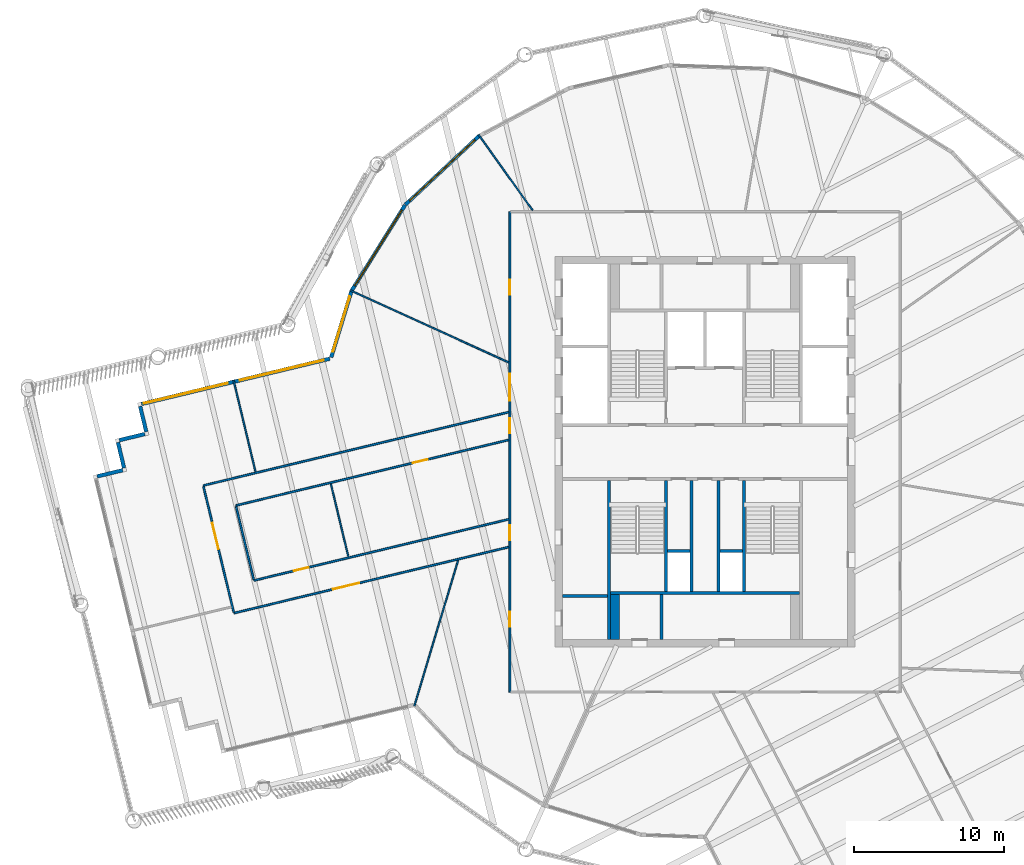
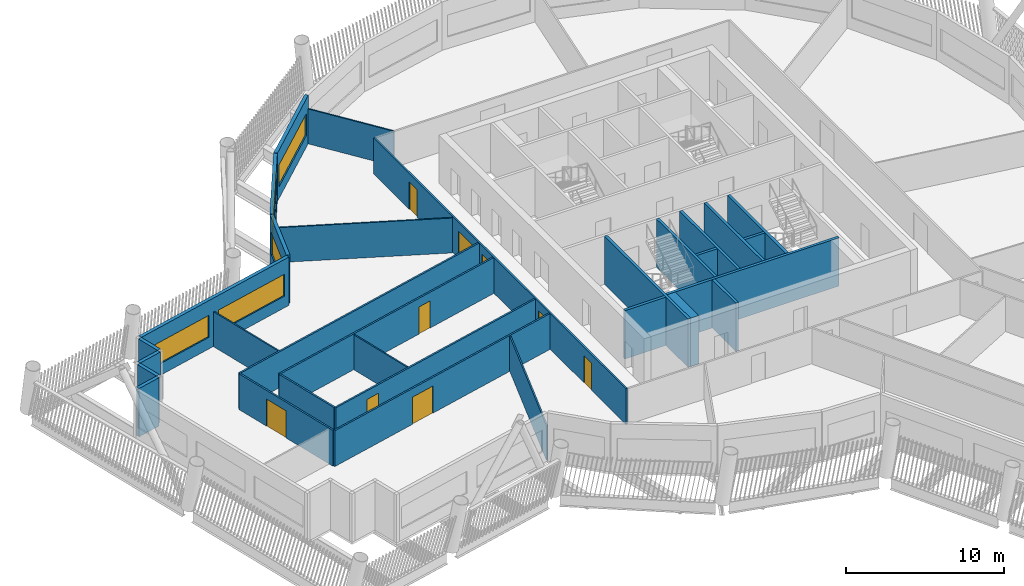
# One storey, part 4 of 22: 31 walls, 9 doors, 5 windows, 14 openings.
"""IFC4 building model written with IfcOpenShell, lengths in metres."""

from ifc_helpers import new_model, si_unit, direction, frame, frame_2d, origin, place, context, subcontext, project, spatial, rectangle, extrude, material, layer, layer_set, type_object, element, fill, save


model = new_model("IFC4")

# Units and contexts
model_context = context("Model", 3, precision=1e-05, world=origin(), true_north=direction((0.0, 1.0)))
body_context = subcontext(model_context, "Body", "Model", "MODEL_VIEW")
ifc_project = project(units=[si_unit("LENGTHUNIT", "METRE"), si_unit("AREAUNIT", "SQUARE_METRE"), si_unit("VOLUMEUNIT", "CUBIC_METRE"), si_unit("PLANEANGLEUNIT", "RADIAN"), si_unit("MASSUNIT", "GRAM", prefix="KILO")], contexts=[model_context])

# Site, building, storey
site_placement = place(None, origin())
site = spatial("IfcSite", under=ifc_project, at=site_placement, CompositionType="ELEMENT")
building_placement = place(site_placement, origin())
building = spatial("IfcBuilding", under=site, at=building_placement, Name="Tarsis Ring Headquarters", CompositionType="ELEMENT")
storey_placement = place(building_placement, frame((0.0, 0.0, 339.199951171875)))
storey = spatial("IfcBuildingStorey", under=building, at=storey_placement, Name="L80", CompositionType="ELEMENT", Elevation=339.199951171875)

# Walls
ifc_material_1 = material(Name="Blockwork", Category="masonry")
ifc_layer_1 = layer(ifc_material_1, 0.199951171875)
ifc_layer_set_1 = layer_set([ifc_layer_1], Name="Core blockwork wall 200")
wall_type_1 = type_object("IfcWallType", Name="Core blockwork wall 200", PredefinedType="PARTITIONING", material=ifc_layer_set_1)
for number, where, z_axis, x_axis, name in (
    (1, (-9.5, -9.60009765625, 0.0), (0.0, 0.0, 1.0), (1.0, 0.0, 0.0), "Core partition WD1"),
    (2, (-2.89990234375, -12.5, 0.0), (0.0, 0.0, 1.0), (0.0, 1.0, 0.0), "Core partition SD1"),
):
    element("IfcWall", number, at=place(storey_placement, frame(where, z_axis=z_axis, x_axis=x_axis)), inside=storey, type_object=wall_type_1, Name=name, PredefinedType="PARTITIONING", context=body_context, shape_type="SweptSolid", body=[
        extrude(rectangle(XDim=3.0, YDim=0.199951171875, at=frame_2d((1.5, 0.0))), origin(), (0.0, 0.0, 1.0), 3.739990234375),
    ])
for number, where, z_axis, x_axis, name in (
    (3, (-2.5, -6.60009765625, 0.0), (0.0, 0.0, 1.0), (1.0, 0.0, 0.0), "Core partition SP1"),
    (4, (1.0, -6.60009765625, 0.0), (0.0, 0.0, 1.0), (1.0, 0.0, 0.0), "Core partition SP3"),
):
    element("IfcWall", number, at=place(storey_placement, frame(where, z_axis=z_axis, x_axis=x_axis)), inside=storey, type_object=wall_type_1, Name=name, PredefinedType="PARTITIONING", context=body_context, shape_type="SweptSolid", body=[
        extrude(rectangle(XDim=1.5, YDim=0.199951171875, at=frame_2d((0.75, 0.0))), origin(), (0.0, 0.0, 1.0), 3.739990234375),
    ])
for number, where, z_axis, x_axis, name in (
    (5, (-0.89990234375, -9.300048828125, 0.0), (0.0, 0.0, 1.0), (0.0, 1.0, 0.0), "Core partition SV1"),
    (6, (0.89990234375, -9.300048828125, 0.0), (0.0, 0.0, 1.0), (0.0, 1.0, 0.0), "Core partition SV2"),
):
    element("IfcWall", number, at=place(storey_placement, frame(where, z_axis=z_axis, x_axis=x_axis)), inside=storey, type_object=wall_type_1, Name=name, PredefinedType="PARTITIONING", context=body_context, shape_type="SweptSolid", body=[
        extrude(rectangle(XDim=7.400146484375, YDim=0.199951171875, at=frame_2d((3.7001953125, 0.0))), origin(), (0.0, 0.0, 1.0), 3.739990234375),
    ])
ifc_material_2 = material(Name="Gypsum board on steel studs", Category="steel")
ifc_layer_2 = layer(ifc_material_2, 0.10009765625)
ifc_layer_set_2 = layer_set([ifc_layer_2], Name="FL partition 100 unrated")
wall_type_2 = type_object("IfcWallType", Name="FL partition 100 unrated", PredefinedType="PARTITIONING", material=ifc_layer_set_2)
wall_1_placement = place(storey_placement, frame((-23.615234375, 10.752197265625, 0.0), z_axis=(0.0, 0.0, 1.0), x_axis=(0.910105733563, -0.414376101792, 0.0)))
element("IfcWall", 7, at=wall_1_placement, inside=storey, type_object=wall_type_2, Name="Partition PW3", PredefinedType="PARTITIONING", context=body_context, shape_type="SweptSolid", body=[
    extrude(rectangle(XDim=11.583740234375, YDim=0.10009765625, at=frame_2d((5.7919921875, 0.0))), origin(), (0.0, 0.0, 1.0), 2.699951171875),
])
wall_2_placement = place(storey_placement, frame((-19.360107421875, -16.919921875, 0.0), z_axis=(0.0, 0.0, 1.0), x_axis=(0.287868377947, 0.957669983333, 0.0)))
element("IfcWall", 8, at=wall_2_placement, inside=storey, type_object=wall_type_2, Name="Partition PW3", PredefinedType="PARTITIONING", context=body_context, shape_type="SweptSolid", body=[
    extrude(rectangle(XDim=10.11181640625, YDim=0.10009765625, at=frame_2d((5.055908203125, 0.0))), origin(), (0.0, 0.0, 1.0), 2.699951171875),
])
wall_3_placement = place(storey_placement, frame((-31.3984375, 4.740966796875, 0.0), z_axis=(0.0, 0.0, 1.0), x_axis=(0.233785119621, -0.972288289472, 0.0)))
element("IfcWall", 9, at=wall_3_placement, inside=storey, type_object=wall_type_2, Name="Partition PW3", PredefinedType="PARTITIONING", context=body_context, shape_type="SweptSolid", body=[
    extrude(rectangle(XDim=6.25, YDim=0.10009765625, at=frame_2d((3.125, 0.0))), origin(), (0.0, 0.0, 1.0), 2.699951171875),
])
wall_4_placement = place(storey_placement, frame((-15.075439453125, 21.119384765625, 0.0), z_axis=(0.0, 0.0, 1.0), x_axis=(0.58097699543, -0.813919978119, 0.0)))
element("IfcWall", 10, at=wall_4_placement, inside=storey, type_object=wall_type_2, Name="Partition PW3", PredefinedType="PARTITIONING", context=body_context, shape_type="SweptSolid", body=[
    extrude(rectangle(XDim=6.18994140625, YDim=0.10009765625, at=frame_2d((3.094970703125, 0.0))), origin(), (0.0, 0.0, 1.0), 2.699951171875),
])
wall_5_placement = place(storey_placement, frame((-24.923583984375, -2.125732421875, 0.0), z_axis=(0.0, 0.0, 1.0), x_axis=(0.233747837998, -0.972297253021, 0.0)))
element("IfcWall", 11, at=wall_5_placement, inside=storey, type_object=wall_type_2, Name="Partition PW3", PredefinedType="PARTITIONING", context=body_context, shape_type="SweptSolid", body=[
    extrude(rectangle(XDim=4.999755859375, YDim=0.10009765625, at=frame_2d((2.5, 0.0))), origin(), (0.0, 0.0, 1.0), 2.699951171875),
])

# Wall, openings, doors
ifc_layer_3 = layer(ifc_material_2, 0.125)
ifc_layer_set_3 = layer_set([ifc_layer_3], Name="FL partition 125 EI 60 H2770")
wall_type_3 = type_object("IfcWallType", Name="FL partition 125 EI 60 H2770", PredefinedType="PARTITIONING", material=ifc_layer_set_3)
wall_6_placement = place(storey_placement, frame((-13.0, -16.0, 0.0), z_axis=(0.0, 0.0, 1.0), x_axis=(0.0, 1.0, 0.0)))
wall_6 = element("IfcWall", 12, at=wall_6_placement, inside=storey, type_object=wall_type_3, Name="Partition PW1", PredefinedType="PARTITIONING", context=body_context, shape_type="SweptSolid", body=[
    extrude(rectangle(XDim=32.0, YDim=0.125, at=frame_2d((16.0, 0.0))), origin(), (0.0, 0.0, 1.0), 2.77001953125),
])
opening_1_placement = place(wall_6_placement, frame((19.391845703125, 0.0, 0.0)))
opening_1 = element("IfcOpeningElement", 13, at=opening_1_placement, cuts=wall_6, Name="Opening D80.03", PredefinedType="OPENING", context=body_context, shape_type="SweptSolid", body=[
    extrude(rectangle(XDim=1.800048828125, YDim=2.10009765625, at=frame_2d((0.89990234375, 1.050048828125))), frame((0.0, 0.072509765625, 0.0), z_axis=(0.0, -1.0, 0.0), x_axis=(1.0, 0.0, 0.0)), (0.0, 0.0, 1.0), 0.14501953125),
])
opening_2_placement = place(wall_6_placement, frame((26.45947265625, 0.0, 0.0)))
opening_2 = element("IfcOpeningElement", 14, at=opening_2_placement, cuts=wall_6, Name="Opening D80.04", PredefinedType="OPENING", context=body_context, shape_type="SweptSolid", body=[
    extrude(rectangle(XDim=1.0, YDim=2.10009765625, at=frame_2d((0.5, 1.050048828125))), frame((0.0, 0.072509765625, 0.0), z_axis=(0.0, -1.0, 0.0), x_axis=(1.0, 0.0, 0.0)), (0.0, 0.0, 1.0), 0.14501953125),
])
opening_3_placement = place(wall_6_placement, frame((4.337890625, 0.0, 0.0)))
opening_3 = element("IfcOpeningElement", 15, at=opening_3_placement, cuts=wall_6, Name="Opening D80.12", PredefinedType="OPENING", context=body_context, shape_type="SweptSolid", body=[
    extrude(rectangle(XDim=1.0, YDim=2.10009765625, at=frame_2d((0.5, 1.050048828125))), frame((0.0, 0.072509765625, 0.0), z_axis=(0.0, -1.0, 0.0), x_axis=(1.0, 0.0, 0.0)), (0.0, 0.0, 1.0), 0.14501953125),
])
opening_4_placement = place(wall_6_placement, frame((10.101318359375, 0.0, 0.0)))
opening_4 = element("IfcOpeningElement", 16, at=opening_4_placement, cuts=wall_6, Name="Opening D80.19", PredefinedType="OPENING", context=body_context, shape_type="SweptSolid", body=[
    extrude(rectangle(XDim=1.0, YDim=2.10009765625, at=frame_2d((0.5, 1.050048828125))), frame((0.0, 0.072509765625, 0.0), z_axis=(0.0, -1.0, 0.0), x_axis=(1.0, 0.0, 0.0)), (0.0, 0.0, 1.0), 0.14501953125),
])
opening_5_placement = place(wall_6_placement, frame((17.239013671875, 0.0, 0.0)))
opening_5 = element("IfcOpeningElement", 17, at=opening_5_placement, cuts=wall_6, Name="Opening D80.20", PredefinedType="OPENING", context=body_context, shape_type="SweptSolid", body=[
    extrude(rectangle(XDim=1.0, YDim=2.10009765625, at=frame_2d((0.5, 1.050048828125))), frame((0.0, 0.072509765625, 0.0), z_axis=(0.0, -1.0, 0.0), x_axis=(1.0, 0.0, 0.0)), (0.0, 0.0, 1.0), 0.14501953125),
])
ifc_material_3 = material(Name="Fire-rated timber door leaf in steel frame", Category="steel")
door_type_1 = type_object("IfcDoorType", Name="FL door FD60-1000", OperationType="NOTDEFINED", PredefinedType="DOOR", material=ifc_material_3)
door_1_placement = place(opening_2_placement, origin())
door_1 = element("IfcDoor", 18, at=door_1_placement, inside=storey, type_object=door_type_1, Name="Door D80.04", OperationType="SINGLE_SWING_RIGHT", OverallHeight=2.10009765625, OverallWidth=1.0, PredefinedType="DOOR", context=body_context, shape_type="SweptSolid", body=[
    extrude(rectangle(XDim=1.0, YDim=2.10009765625, at=frame_2d((0.5, 1.050048828125))), frame((0.0, 0.02490234375, 0.0), z_axis=(0.0, -1.0, 0.0), x_axis=(1.0, 0.0, 0.0)), (0.0, 0.0, 1.0), 0.050048828125),
])
fill(opening_2, door_1)
door_2_placement = place(opening_3_placement, origin())
door_2 = element("IfcDoor", 19, at=door_2_placement, inside=storey, type_object=door_type_1, Name="Door D80.12", OperationType="SINGLE_SWING_RIGHT", OverallHeight=2.10009765625, OverallWidth=1.0, PredefinedType="DOOR", context=body_context, shape_type="SweptSolid", body=[
    extrude(rectangle(XDim=1.0, YDim=2.10009765625, at=frame_2d((0.5, 1.050048828125))), frame((0.0, 0.02490234375, 0.0), z_axis=(0.0, -1.0, 0.0), x_axis=(1.0, 0.0, 0.0)), (0.0, 0.0, 1.0), 0.050048828125),
])
fill(opening_3, door_2)
door_3_placement = place(opening_4_placement, origin())
door_3 = element("IfcDoor", 20, at=door_3_placement, inside=storey, type_object=door_type_1, Name="Door D80.19", OperationType="SINGLE_SWING_LEFT", OverallHeight=2.10009765625, OverallWidth=1.0, PredefinedType="DOOR", context=body_context, shape_type="SweptSolid", body=[
    extrude(rectangle(XDim=1.0, YDim=2.10009765625, at=frame_2d((0.5, 1.050048828125))), frame((0.0, 0.02490234375, 0.0), z_axis=(0.0, -1.0, 0.0), x_axis=(1.0, 0.0, 0.0)), (0.0, 0.0, 1.0), 0.050048828125),
])
fill(opening_4, door_3)
door_4_placement = place(opening_5_placement, origin())
door_4 = element("IfcDoor", 21, at=door_4_placement, inside=storey, type_object=door_type_1, Name="Door D80.20", OperationType="SINGLE_SWING_RIGHT", OverallHeight=2.10009765625, OverallWidth=1.0, PredefinedType="DOOR", context=body_context, shape_type="SweptSolid", body=[
    extrude(rectangle(XDim=1.0, YDim=2.10009765625, at=frame_2d((0.5, 1.050048828125))), frame((0.0, 0.02490234375, 0.0), z_axis=(0.0, -1.0, 0.0), x_axis=(1.0, 0.0, 0.0)), (0.0, 0.0, 1.0), 0.050048828125),
])
fill(opening_5, door_4)
door_type_2 = type_object("IfcDoorType", Name="FL door FD60-1800", OperationType="DOUBLE_DOOR_SINGLE_SWING", PredefinedType="DOOR", material=ifc_material_3)
door_5_placement = place(opening_1_placement, origin())
door_5 = element("IfcDoor", 22, at=door_5_placement, inside=storey, type_object=door_type_2, Name="Door D80.03", OperationType="DOUBLE_DOOR_SINGLE_SWING", OverallHeight=2.10009765625, OverallWidth=1.800048828125, PredefinedType="DOOR", context=body_context, shape_type="SweptSolid", body=[
    extrude(rectangle(XDim=1.800048828125, YDim=2.10009765625, at=frame_2d((0.89990234375, 1.050048828125))), frame((0.0, 0.02490234375, 0.0), z_axis=(0.0, -1.0, 0.0), x_axis=(1.0, 0.0, 0.0)), (0.0, 0.0, 1.0), 0.050048828125),
])
fill(opening_1, door_5)

# Wall
wall_7_placement = place(storey_placement, frame((-33.421142578125, -2.24560546875, 0.0), z_axis=(0.0, 0.0, 1.0), x_axis=(0.972288866201, 0.233782721049, 0.0)))
element("IfcWall", 23, at=wall_7_placement, inside=storey, type_object=wall_type_3, Name="Partition PW1", PredefinedType="PARTITIONING", context=body_context, shape_type="SweptSolid", body=[
    extrude(rectangle(XDim=20.93310546875, YDim=0.125, at=frame_2d((10.466552734375, 0.0))), origin(), (0.0, 0.0, 1.0), 2.77001953125),
])

# Wall, opening, door
wall_8_placement = place(storey_placement, frame((-31.3779296875, -10.743408203125, 0.0), z_axis=(0.0, 0.0, 1.0), x_axis=(0.972288010304, 0.233786280649, 0.0)))
wall_8 = element("IfcWall", 24, at=wall_8_placement, inside=storey, type_object=wall_type_3, Name="Partition PW1", PredefinedType="PARTITIONING", context=body_context, shape_type="SweptSolid", body=[
    extrude(rectangle(XDim=18.831787109375, YDim=0.125, at=frame_2d((9.416015625, 0.0))), origin(), (0.0, 0.0, 1.0), 2.77001953125),
])
opening_6_placement = place(wall_8_placement, frame((6.7880859375, 0.0, 0.0)))
opening_6 = element("IfcOpeningElement", 25, at=opening_6_placement, cuts=wall_8, Name="Opening D80.01", PredefinedType="OPENING", context=body_context, shape_type="SweptSolid", body=[
    extrude(rectangle(XDim=1.800048828125, YDim=2.10009765625, at=frame_2d((0.89990234375, 1.050048828125))), frame((0.0, 0.072509765625, 0.0), z_axis=(0.0, -1.0, 0.0), x_axis=(1.0, 0.0, 0.0)), (0.0, 0.0, 1.0), 0.14501953125),
])
door_6_placement = place(opening_6_placement, origin())
door_6 = element("IfcDoor", 26, at=door_6_placement, inside=storey, type_object=door_type_2, Name="Door D80.01", OperationType="DOUBLE_DOOR_SINGLE_SWING", OverallHeight=2.10009765625, OverallWidth=1.800048828125, PredefinedType="DOOR", context=body_context, shape_type="SweptSolid", body=[
    extrude(rectangle(XDim=1.800048828125, YDim=2.10009765625, at=frame_2d((0.89990234375, 1.050048828125))), frame((0.0, 0.02490234375, 0.0), z_axis=(0.0, -1.0, 0.0), x_axis=(1.0, 0.0, 0.0)), (0.0, 0.0, 1.0), 0.050048828125),
])
fill(opening_6, door_6)

wall_9_placement = place(storey_placement, frame((-31.250244140625, -3.574951171875, 0.0), z_axis=(0.0, 0.0, 1.0), x_axis=(0.972285769287, 0.233795600564, 0.0)))
wall_9 = element("IfcWall", 27, at=wall_9_placement, inside=storey, type_object=wall_type_3, Name="Partition PW1", PredefinedType="PARTITIONING", context=body_context, shape_type="SweptSolid", body=[
    extrude(rectangle(XDim=18.700439453125, YDim=0.125, at=frame_2d((9.35009765625, 0.0))), origin(), (0.0, 0.0, 1.0), 2.77001953125),
])
opening_7_placement = place(wall_9_placement, frame((12.129150390625, 0.0, 0.0)))
opening_7 = element("IfcOpeningElement", 28, at=opening_7_placement, cuts=wall_9, Name="Opening D80.13", PredefinedType="OPENING", context=body_context, shape_type="SweptSolid", body=[
    extrude(rectangle(XDim=1.0, YDim=2.10009765625, at=frame_2d((0.5, 1.050048828125))), frame((0.0, 0.072509765625, 0.0), z_axis=(0.0, -1.0, 0.0), x_axis=(1.0, 0.0, 0.0)), (0.0, 0.0, 1.0), 0.14501953125),
])
door_7_placement = place(opening_7_placement, origin())
door_7 = element("IfcDoor", 29, at=door_7_placement, inside=storey, type_object=door_type_1, Name="Door D80.13", OperationType="SINGLE_SWING_LEFT", OverallHeight=2.10009765625, OverallWidth=1.0, PredefinedType="DOOR", context=body_context, shape_type="SweptSolid", body=[
    extrude(rectangle(XDim=1.0, YDim=2.10009765625, at=frame_2d((0.5, 1.050048828125))), frame((0.0, 0.02490234375, 0.0), z_axis=(0.0, -1.0, 0.0), x_axis=(1.0, 0.0, 0.0)), (0.0, 0.0, 1.0), 0.050048828125),
])
fill(opening_7, door_7)

wall_10_placement = place(storey_placement, frame((-30.048583984375, -8.572509765625, 0.0), z_axis=(0.0, 0.0, 1.0), x_axis=(0.972287221714, 0.233789560271, 0.0)))
wall_10 = element("IfcWall", 30, at=wall_10_placement, inside=storey, type_object=wall_type_3, Name="Partition PW1", PredefinedType="PARTITIONING", context=body_context, shape_type="SweptSolid", body=[
    extrude(rectangle(XDim=17.46435546875, YDim=0.125, at=frame_2d((8.732177734375, 0.0))), origin(), (0.0, 0.0, 1.0), 2.77001953125),
])
opening_8_placement = place(wall_10_placement, frame((2.743896484375, 0.0, 0.0)))
opening_8 = element("IfcOpeningElement", 31, at=opening_8_placement, cuts=wall_10, Name="Opening D80.14", PredefinedType="OPENING", context=body_context, shape_type="SweptSolid", body=[
    extrude(rectangle(XDim=1.0, YDim=2.10009765625, at=frame_2d((0.5, 1.050048828125))), frame((0.0, 0.072509765625, 0.0), z_axis=(0.0, -1.0, 0.0), x_axis=(1.0, 0.0, 0.0)), (0.0, 0.0, 1.0), 0.14501953125),
])
door_8_placement = place(opening_8_placement, origin())
door_8 = element("IfcDoor", 32, at=door_8_placement, inside=storey, type_object=door_type_1, Name="Door D80.14", OperationType="SINGLE_SWING_RIGHT", OverallHeight=2.10009765625, OverallWidth=1.0, PredefinedType="DOOR", context=body_context, shape_type="SweptSolid", body=[
    extrude(rectangle(XDim=1.0, YDim=2.10009765625, at=frame_2d((0.5, 1.050048828125))), frame((0.0, 0.02490234375, 0.0), z_axis=(0.0, -1.0, 0.0), x_axis=(1.0, 0.0, 0.0)), (0.0, 0.0, 1.0), 0.050048828125),
])
fill(opening_8, door_8)

wall_11_placement = place(storey_placement, frame((-33.406982421875, -2.303955078125, 0.0), z_axis=(0.0, 0.0, 1.0), x_axis=(0.233775706343, -0.972290552831, 0.0)))
wall_11 = element("IfcWall", 33, at=wall_11_placement, inside=storey, type_object=wall_type_3, Name="Partition PW1", PredefinedType="PARTITIONING", context=body_context, shape_type="SweptSolid", body=[
    extrude(rectangle(XDim=8.619873046875, YDim=0.125, at=frame_2d((4.31005859375, 0.0))), origin(), (0.0, 0.0, 1.0), 2.77001953125),
])
opening_9_placement = place(wall_11_placement, frame((2.510009765625, 0.0, 0.0)))
opening_9 = element("IfcOpeningElement", 34, at=opening_9_placement, cuts=wall_11, Name="Opening D80.02", PredefinedType="OPENING", context=body_context, shape_type="SweptSolid", body=[
    extrude(rectangle(XDim=1.800048828125, YDim=2.10009765625, at=frame_2d((0.89990234375, 1.050048828125))), frame((0.0, 0.072509765625, 0.0), z_axis=(0.0, -1.0, 0.0), x_axis=(1.0, 0.0, 0.0)), (0.0, 0.0, 1.0), 0.14501953125),
])
door_9_placement = place(opening_9_placement, origin())
door_9 = element("IfcDoor", 35, at=door_9_placement, inside=storey, type_object=door_type_2, Name="Door D80.02", OperationType="DOUBLE_DOOR_SINGLE_SWING", OverallHeight=2.10009765625, OverallWidth=1.800048828125, PredefinedType="DOOR", context=body_context, shape_type="SweptSolid", body=[
    extrude(rectangle(XDim=1.800048828125, YDim=2.10009765625, at=frame_2d((0.89990234375, 1.050048828125))), frame((0.0, 0.02490234375, 0.0), z_axis=(0.0, -1.0, 0.0), x_axis=(1.0, 0.0, 0.0)), (0.0, 0.0, 1.0), 0.050048828125),
])
fill(opening_9, door_9)

# Wall
wall_12_placement = place(storey_placement, frame((-31.236083984375, -3.63330078125, 0.0), z_axis=(0.0, 0.0, 1.0), x_axis=(0.233783119228, -0.972288770461, 0.0)))
element("IfcWall", 36, at=wall_12_placement, inside=storey, type_object=wall_type_3, Name="Partition PW1", PredefinedType="PARTITIONING", context=body_context, shape_type="SweptSolid", body=[
    extrude(rectangle(XDim=5.02001953125, YDim=0.125, at=frame_2d((2.510009765625, 0.0))), origin(), (0.0, 0.0, 1.0), 2.77001953125),
])

# Wall, opening, window
ifc_material_4 = material(Name="Terracotta clad insulated panel wall", Category="masonry")
ifc_layer_4 = layer(ifc_material_4, 0.25)
ifc_layer_set_4 = layer_set([ifc_layer_4], Name="Facade wall terracotta panel 250")
wall_type_4 = type_object("IfcWallType", Name="Facade wall terracotta panel 250", PredefinedType="STANDARD", material=ifc_layer_set_4)
wall_13_placement = place(storey_placement, frame((-15.04443359375, 21.0478515625, 0.0), z_axis=(0.0, 0.0, 1.0), x_axis=(-0.73112894363, -0.6822393039, 0.0)))
wall_13 = element("IfcWall", 37, at=wall_13_placement, inside=storey, type_object=wall_type_4, Name="External wall L80-28", PredefinedType="STANDARD", context=body_context, shape_type="SweptSolid", body=[
    extrude(rectangle(XDim=6.721435546875, YDim=0.25, at=frame_2d((3.36083984375, 0.0))), origin(), (0.0, 0.0, 1.0), 3.739990234375),
])
opening_10_placement = place(wall_13_placement, frame((0.3857421875, 0.0, 0.89990234375)))
opening_10 = element("IfcOpeningElement", 38, at=opening_10_placement, cuts=wall_13, Name="Opening WN07", PredefinedType="OPENING", context=body_context, shape_type="SweptSolid", body=[
    extrude(rectangle(XDim=5.949951171875, YDim=1.699951171875, at=frame_2d((2.97509765625, 0.85009765625))), frame((0.0, 0.135009765625, 0.0), z_axis=(0.0, -1.0, 0.0), x_axis=(1.0, 0.0, 0.0)), (0.0, 0.0, 1.0), 0.27001953125),
])
ifc_material_5 = material(Name="Aluminium framed double glazing", Category="aluminium")
window_type_1 = type_object("IfcWindowType", Name="Facade window 5950 x 1700", PartitioningType="SINGLE_PANEL", PredefinedType="WINDOW", material=ifc_material_5)
window_1_placement = place(opening_10_placement, origin())
window_1 = element("IfcWindow", 39, at=window_1_placement, inside=storey, type_object=window_type_1, Name="Window L80-28.1", OverallHeight=1.699951171875, OverallWidth=5.949951171875, PartitioningType="SINGLE_PANEL", PredefinedType="WINDOW", context=body_context, shape_type="SweptSolid", body=[
    extrude(rectangle(XDim=5.949951171875, YDim=1.699951171875, at=frame_2d((2.97509765625, 0.85009765625))), frame((0.0, 0.030029296875, 0.0), z_axis=(0.0, -1.0, 0.0), x_axis=(1.0, 0.0, 0.0)), (0.0, 0.0, 1.0), 0.06005859375),
])
fill(opening_10, window_1)

wall_14_placement = place(storey_placement, frame((-19.9794921875, 16.43701171875, 0.0), z_axis=(0.0, 0.0, 1.0), x_axis=(-0.529616888872, -0.848236966314, 0.0)))
wall_14 = element("IfcWall", 40, at=wall_14_placement, inside=storey, type_object=wall_type_4, Name="External wall L80-29", PredefinedType="STANDARD", context=body_context, shape_type="SweptSolid", body=[
    extrude(rectangle(XDim=6.721435546875, YDim=0.25, at=frame_2d((3.36083984375, 0.0))), origin(), (0.0, 0.0, 1.0), 3.739990234375),
])
opening_11_placement = place(wall_14_placement, frame((0.3857421875, 0.0, 0.89990234375)))
opening_11 = element("IfcOpeningElement", 41, at=opening_11_placement, cuts=wall_14, Name="Opening WN07", PredefinedType="OPENING", context=body_context, shape_type="SweptSolid", body=[
    extrude(rectangle(XDim=5.949951171875, YDim=1.699951171875, at=frame_2d((2.97509765625, 0.85009765625))), frame((0.0, 0.135009765625, 0.0), z_axis=(0.0, -1.0, 0.0), x_axis=(1.0, 0.0, 0.0)), (0.0, 0.0, 1.0), 0.27001953125),
])
window_2_placement = place(opening_11_placement, origin())
window_2 = element("IfcWindow", 42, at=window_2_placement, inside=storey, type_object=window_type_1, Name="Window L80-29.1", OverallHeight=1.699951171875, OverallWidth=5.949951171875, PartitioningType="SINGLE_PANEL", PredefinedType="WINDOW", context=body_context, shape_type="SweptSolid", body=[
    extrude(rectangle(XDim=5.949951171875, YDim=1.699951171875, at=frame_2d((2.97509765625, 0.85009765625))), frame((0.0, 0.030029296875, 0.0), z_axis=(0.0, -1.0, 0.0), x_axis=(1.0, 0.0, 0.0)), (0.0, 0.0, 1.0), 0.06005859375),
])
fill(opening_11, window_2)

wall_15_placement = place(storey_placement, frame((-23.552734375, 10.705810546875, 0.0), z_axis=(0.0, 0.0, 1.0), x_axis=(-0.292049289985, -0.956403268616, 0.0)))
wall_15 = element("IfcWall", 43, at=wall_15_placement, inside=storey, type_object=wall_type_4, Name="External wall L80-30", PredefinedType="STANDARD", context=body_context, shape_type="SweptSolid", body=[
    extrude(rectangle(XDim=4.617919921875, YDim=0.25, at=frame_2d((2.30908203125, 0.0))), origin(), (0.0, 0.0, 1.0), 3.739990234375),
])
opening_12_placement = place(wall_15_placement, frame((0.367431640625, 0.0, 0.89990234375)))
opening_12 = element("IfcOpeningElement", 44, at=opening_12_placement, cuts=wall_15, Name="Opening WN02", PredefinedType="OPENING", context=body_context, shape_type="SweptSolid", body=[
    extrude(rectangle(XDim=3.85009765625, YDim=1.699951171875, at=frame_2d((1.925048828125, 0.85009765625))), frame((0.0, 0.135009765625, 0.0), z_axis=(0.0, -1.0, 0.0), x_axis=(1.0, 0.0, 0.0)), (0.0, 0.0, 1.0), 0.27001953125),
])
window_type_2 = type_object("IfcWindowType", Name="Facade window 3850 x 1700", PartitioningType="SINGLE_PANEL", PredefinedType="WINDOW", material=ifc_material_5)
window_3_placement = place(opening_12_placement, origin())
window_3 = element("IfcWindow", 45, at=window_3_placement, inside=storey, type_object=window_type_2, Name="Window L80-30.1", OverallHeight=1.699951171875, OverallWidth=3.85009765625, PartitioningType="SINGLE_PANEL", PredefinedType="WINDOW", context=body_context, shape_type="SweptSolid", body=[
    extrude(rectangle(XDim=3.85009765625, YDim=1.699951171875, at=frame_2d((1.925048828125, 0.85009765625))), frame((0.0, 0.030029296875, 0.0), z_axis=(0.0, -1.0, 0.0), x_axis=(1.0, 0.0, 0.0)), (0.0, 0.0, 1.0), 0.06005859375),
])
fill(opening_12, window_3)

# Wall, openings, windows
wall_16_placement = place(storey_placement, frame((-24.99169921875, 6.204345703125, 0.0), z_axis=(0.0, 0.0, 1.0), x_axis=(-0.972288272363, -0.233785190774, 0.0)))
wall_16 = element("IfcWall", 46, at=wall_16_placement, inside=storey, type_object=wall_type_4, Name="External wall L80-31", PredefinedType="STANDARD", context=body_context, shape_type="SweptSolid", body=[
    extrude(rectangle(XDim=12.901123046875, YDim=0.25, at=frame_2d((6.45068359375, 0.0))), origin(), (0.0, 0.0, 1.0), 3.739990234375),
])
opening_13_placement = place(wall_16_placement, frame((0.412841796875, 0.0, 0.89990234375)))
opening_13 = element("IfcOpeningElement", 47, at=opening_13_placement, cuts=wall_16, Name="Opening WN06", PredefinedType="OPENING", context=body_context, shape_type="SweptSolid", body=[
    extrude(rectangle(XDim=5.75, YDim=1.699951171875, at=frame_2d((2.875, 0.85009765625))), frame((0.0, 0.135009765625, 0.0), z_axis=(0.0, -1.0, 0.0), x_axis=(1.0, 0.0, 0.0)), (0.0, 0.0, 1.0), 0.27001953125),
])
opening_14_placement = place(wall_16_placement, frame((6.988525390625, 0.0, 0.89990234375)))
opening_14 = element("IfcOpeningElement", 48, at=opening_14_placement, cuts=wall_16, Name="Opening WN06", PredefinedType="OPENING", context=body_context, shape_type="SweptSolid", body=[
    extrude(rectangle(XDim=5.75, YDim=1.699951171875, at=frame_2d((2.875, 0.85009765625))), frame((0.0, 0.135009765625, 0.0), z_axis=(0.0, -1.0, 0.0), x_axis=(1.0, 0.0, 0.0)), (0.0, 0.0, 1.0), 0.27001953125),
])
window_type_3 = type_object("IfcWindowType", Name="Facade window 5750 x 1700", PartitioningType="SINGLE_PANEL", PredefinedType="WINDOW", material=ifc_material_5)
window_4_placement = place(opening_13_placement, origin())
window_4 = element("IfcWindow", 49, at=window_4_placement, inside=storey, type_object=window_type_3, Name="Window L80-31.1", OverallHeight=1.699951171875, OverallWidth=5.75, PartitioningType="SINGLE_PANEL", PredefinedType="WINDOW", context=body_context, shape_type="SweptSolid", body=[
    extrude(rectangle(XDim=5.75, YDim=1.699951171875, at=frame_2d((2.875, 0.85009765625))), frame((0.0, 0.030029296875, 0.0), z_axis=(0.0, -1.0, 0.0), x_axis=(1.0, 0.0, 0.0)), (0.0, 0.0, 1.0), 0.06005859375),
])
fill(opening_13, window_4)
window_5_placement = place(opening_14_placement, origin())
window_5 = element("IfcWindow", 50, at=window_5_placement, inside=storey, type_object=window_type_3, Name="Window L80-31.2", OverallHeight=1.699951171875, OverallWidth=5.75, PartitioningType="SINGLE_PANEL", PredefinedType="WINDOW", context=body_context, shape_type="SweptSolid", body=[
    extrude(rectangle(XDim=5.75, YDim=1.699951171875, at=frame_2d((2.875, 0.85009765625))), frame((0.0, 0.030029296875, 0.0), z_axis=(0.0, -1.0, 0.0), x_axis=(1.0, 0.0, 0.0)), (0.0, 0.0, 1.0), 0.06005859375),
])
fill(opening_14, window_5)

# Walls
for number, where, z_axis, x_axis, name in (
    (51, (-37.6279296875, 3.037353515625, 0.0), (0.0, 0.0, 1.0), (0.233826719362, -0.972278285941, 0.0), "External wall L80-32"),
    (52, (-37.31103515625, 1.18505859375, 0.0), (0.0, 0.0, 1.0), (-0.972278285941, -0.233826719362, 0.0), "External wall L80-33"),
):
    element("IfcWall", number, at=place(storey_placement, frame(where, z_axis=z_axis, x_axis=x_axis)), inside=storey, type_object=wall_type_4, Name=name, PredefinedType="STANDARD", context=body_context, shape_type="SweptSolid", body=[
        extrude(rectangle(XDim=1.75, YDim=0.25, at=frame_2d((0.875, 0.0))), origin(), (0.0, 0.0, 1.0), 3.739990234375),
    ])
wall_17_placement = place(storey_placement, frame((-39.104736328125, 0.625244140625, 0.0), z_axis=(0.0, 0.0, 1.0), x_axis=(0.23369482612, -0.97230999596, 0.0)))
element("IfcWall", 53, at=wall_17_placement, inside=storey, type_object=wall_type_4, Name="External wall L80-34", PredefinedType="STANDARD", context=body_context, shape_type="SweptSolid", body=[
    extrude(rectangle(XDim=1.749755859375, YDim=0.25, at=frame_2d((0.875, 0.0))), origin(), (0.0, 0.0, 1.0), 3.739990234375),
])
wall_18_placement = place(storey_placement, frame((-38.7880859375, -1.22705078125, 0.0), z_axis=(0.0, 0.0, 1.0), x_axis=(-0.972278285941, -0.233826719362, 0.0)))
element("IfcWall", 54, at=wall_18_placement, inside=storey, type_object=wall_type_4, Name="External wall L80-35", PredefinedType="STANDARD", context=body_context, shape_type="SweptSolid", body=[
    extrude(rectangle(XDim=1.75, YDim=0.25, at=frame_2d((0.875, 0.0))), origin(), (0.0, 0.0, 1.0), 3.739990234375),
])
ifc_material_6 = material(Name="Concrete C32/40", Category="concrete")
ifc_layer_5 = layer(ifc_material_6, 0.60009765625)
ifc_layer_set_5 = layer_set([ifc_layer_5], Name="Shaft end wall 600 C32/40")
wall_type_5 = type_object("IfcWallType", Name="Shaft end wall 600 C32/40", PredefinedType="SOLIDWALL", material=ifc_layer_set_5)
wall_19_placement = place(storey_placement, frame((-6.0, -12.5, 0.0), z_axis=(0.0, 0.0, 1.0), x_axis=(0.0, 1.0, 0.0)))
element("IfcWall", 55, at=wall_19_placement, inside=storey, type_object=wall_type_5, Name="Core shaft wall SNE1", PredefinedType="SOLIDWALL", context=body_context, shape_type="SweptSolid", body=[
    extrude(rectangle(XDim=3.0, YDim=0.60009765625, at=frame_2d((1.5, 0.0))), origin(), (0.0, 0.0, 1.0), 3.739990234375),
])
ifc_layer_6 = layer(ifc_material_6, 0.199951171875)
ifc_layer_set_6 = layer_set([ifc_layer_6], Name="Shaft wall 200 C32/40")
wall_type_6 = type_object("IfcWallType", Name="Shaft wall 200 C32/40", PredefinedType="SOLIDWALL", material=ifc_layer_set_6)
wall_20_placement = place(storey_placement, frame((-6.39990234375, -12.5, 0.0), z_axis=(0.0, 0.0, 1.0), x_axis=(0.0, 1.0, 0.0)))
element("IfcWall", 56, at=wall_20_placement, inside=storey, type_object=wall_type_6, Name="Core shaft wall WB1", PredefinedType="SOLIDWALL", context=body_context, shape_type="SweptSolid", body=[
    extrude(rectangle(XDim=10.60009765625, YDim=0.199951171875, at=frame_2d((5.300048828125, 0.0))), origin(), (0.0, 0.0, 1.0), 3.739990234375),
])
wall_21_placement = place(storey_placement, frame((-6.300048828125, -9.39990234375, 0.0), z_axis=(0.0, 0.0, 1.0), x_axis=(1.0, 0.0, 0.0)))
element("IfcWall", 57, at=wall_21_placement, inside=storey, type_object=wall_type_6, Name="Core shaft wall SB", PredefinedType="SOLIDWALL", context=body_context, shape_type="SweptSolid", body=[
    extrude(rectangle(XDim=12.60009765625, YDim=0.199951171875, at=frame_2d((6.300048828125, 0.0))), origin(), (0.0, 0.0, 1.0), 3.739990234375),
])
for number, where, z_axis, x_axis, name in (
    (58, (-2.60009765625, -9.300048828125, 0.0), (0.0, 0.0, 1.0), (0.0, 1.0, 0.0), "Core shaft wall SW3"),
    (59, (2.60009765625, -9.300048828125, 0.0), (0.0, 0.0, 1.0), (0.0, 1.0, 0.0), "Core shaft wall SW4"),
):
    element("IfcWall", number, at=place(storey_placement, frame(where, z_axis=z_axis, x_axis=x_axis)), inside=storey, type_object=wall_type_6, Name=name, PredefinedType="SOLIDWALL", context=body_context, shape_type="SweptSolid", body=[
        extrude(rectangle(XDim=7.400146484375, YDim=0.199951171875, at=frame_2d((3.7001953125, 0.0))), origin(), (0.0, 0.0, 1.0), 3.739990234375),
    ])

save(model, "model.ifc")
